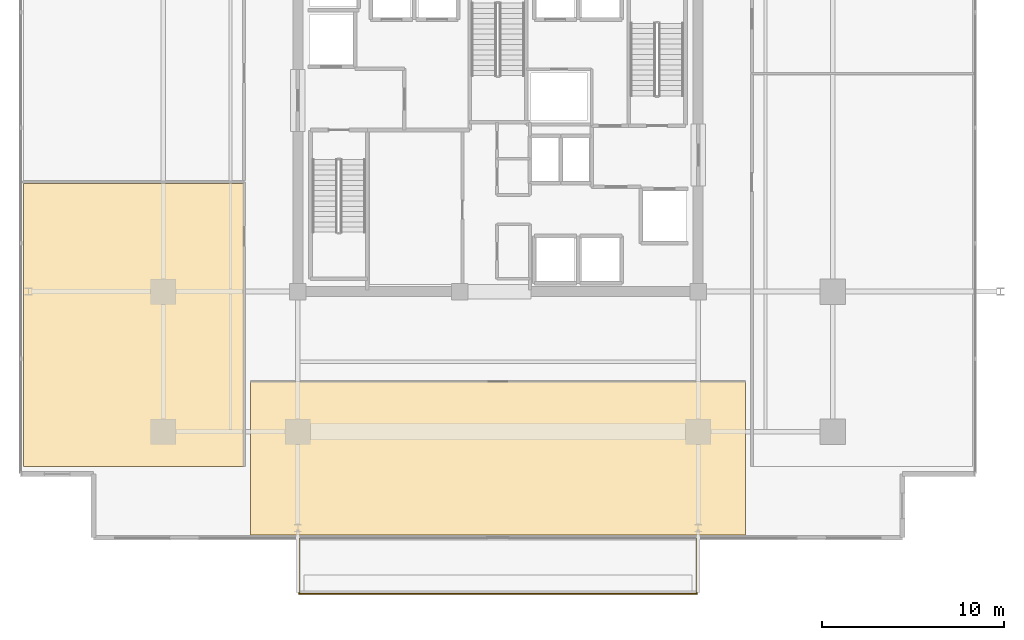
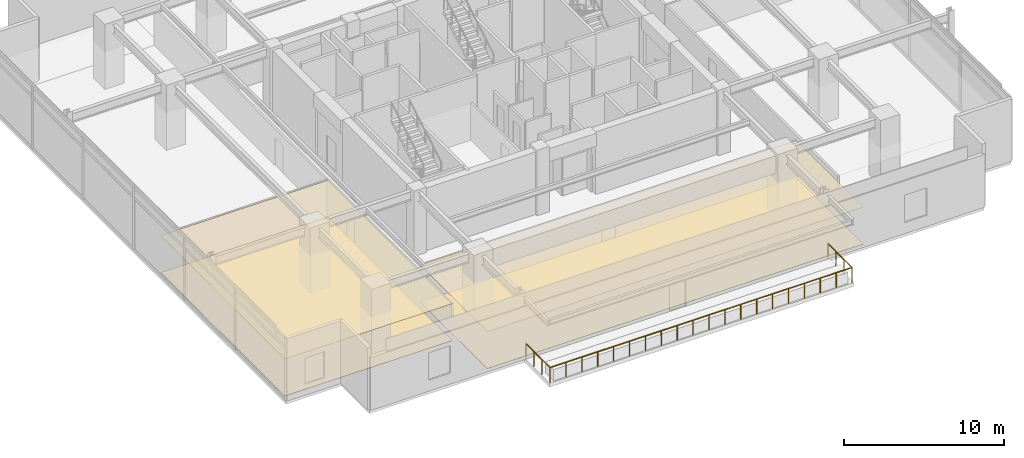
# One storey, part 17 of 21: 4 coverings, 1 railing.
"""IFC4 building model written with IfcOpenShell, lengths in metres."""

from ifc_helpers import new_model, si_unit, direction, frame, origin, origin_2d, place, context, subcontext, project, spatial, polyline, circle, outline, extrude, material, layer, layer_set, type_object, element, save


model = new_model("IFC4")

# Units and contexts
model_context = context("Model", 3, precision=1e-05, world=origin(), true_north=direction((0.0, 1.0)))
body_context = subcontext(model_context, "Body", "Model", "MODEL_VIEW")
ifc_project = project(units=[si_unit("LENGTHUNIT", "METRE"), si_unit("AREAUNIT", "SQUARE_METRE"), si_unit("VOLUMEUNIT", "CUBIC_METRE"), si_unit("PLANEANGLEUNIT", "RADIAN"), si_unit("MASSUNIT", "GRAM", prefix="KILO")], contexts=[model_context])

# Site, building, storey
site_placement = place(None, origin())
site = spatial("IfcSite", under=ifc_project, at=site_placement, CompositionType="ELEMENT")
building_placement = place(site_placement, origin())
building = spatial("IfcBuilding", under=site, at=building_placement, Name="Kovane Verandah Tower", CompositionType="ELEMENT")
storey_placement = place(building_placement, frame((0.0, 0.0, 238.199951171875)))
storey = spatial("IfcBuildingStorey", under=building, at=storey_placement, Name="L55", CompositionType="ELEMENT", Elevation=238.199951171875)

# Coverings
ifc_material_1 = material(Name="Perforated Acoustic Mineral-Fibre Ceiling Tile", Category="gypsum")
ifc_layer_1 = layer(ifc_material_1, 0.02490234375)
ifc_layer_set_1 = layer_set([ifc_layer_1], Name="Perforated Acoustic Mineral-Fibre Ceiling Tile")
covering_type_1 = type_object("IfcCoveringType", Name="CV-CEIL-25", PredefinedType="CEILING", material=ifc_layer_set_1)
covering_1_placement = place(storey_placement, frame((0.0, 0.0, 2.824951171875)))
element("IfcCovering", 1, at=covering_1_placement, inside=storey, type_object=covering_type_1, Name="L55 Breakout Pantry S1 Acoustic Ceiling", PredefinedType="CEILING", context=body_context, shape_type="SweptSolid", body=[
    extrude(outline(polyline([(26.39990234375, 5.126708984375), (53.60009765625, 5.126708984375), (53.60009765625, 13.550048828125), (26.39990234375, 13.550048828125), (26.39990234375, 5.126708984375)])), origin(), (0.0, 0.0, 1.0), 0.025146484375),
])
covering_2_placement = place(storey_placement, frame((0.0, 0.0, 2.824951171875)))
element("IfcCovering", 2, at=covering_2_placement, inside=storey, type_object=covering_type_1, Name="L55 Collaboration Hub W1 Acoustic Ceiling", PredefinedType="CEILING", context=body_context, shape_type="SweptSolid", body=[
    extrude(outline(polyline([(13.929443359375, 8.876708984375), (26.050048828125, 8.876708984375), (26.050048828125, 24.4501953125), (13.929443359375, 24.4501953125), (13.929443359375, 8.876708984375)])), origin(), (0.0, 0.0, 1.0), 0.025146484375),
])
ifc_material_2 = material(Name="Polished Terrazzo and Raised-Access Carpet Tile Finish", Category="concrete")
ifc_layer_2 = layer(ifc_material_2, 0.030029296875)
ifc_layer_set_2 = layer_set([ifc_layer_2], Name="Polished Terrazzo and Raised-Access Carpet Tile Finish")
covering_type_2 = type_object("IfcCoveringType", Name="CV-FLOR-30", PredefinedType="FLOORING", material=ifc_layer_set_2)
covering_3_placement = place(storey_placement, origin())
element("IfcCovering", 3, at=covering_3_placement, inside=storey, type_object=covering_type_2, Name="L55 Breakout Pantry S1 Floor Finish", PredefinedType="FLOORING", context=body_context, shape_type="SweptSolid", body=[
    extrude(outline(polyline([(26.39990234375, 5.126708984375), (53.60009765625, 5.126708984375), (53.60009765625, 13.550048828125), (26.39990234375, 13.550048828125), (26.39990234375, 5.126708984375)])), origin(), (0.0, 0.0, 1.0), 0.030029296875),
])
covering_4_placement = place(storey_placement, origin())
element("IfcCovering", 4, at=covering_4_placement, inside=storey, type_object=covering_type_2, Name="L55 Collaboration Hub W1 Floor Finish", PredefinedType="FLOORING", context=body_context, shape_type="SweptSolid", body=[
    extrude(outline(polyline([(13.929443359375, 8.876708984375), (26.050048828125, 8.876708984375), (26.050048828125, 24.4501953125), (13.929443359375, 24.4501953125), (13.929443359375, 8.876708984375)])), origin(), (0.0, 0.0, 1.0), 0.030029296875),
])

# Railing
ifc_material_3 = material(Name="Laminated Glass and Pale-Champagne Stainless Balustrade", Category="glass")
railing_type = type_object("IfcRailingType", Name="RL-BAL-1150", PredefinedType="BALUSTRADE", material=ifc_material_3)
railing_placement = place(storey_placement, frame((29.080078125, 4.926513671875, 0.0)))
element("IfcRailing", 5, at=railing_placement, inside=storey, type_object=railing_type, Name="L55 S Verandah Glass Balustrade", PredefinedType="BALUSTRADE", context=body_context, shape_type="SweptSolid", body=[
    extrude(circle(Radius=0.02392578125, at=origin_2d()), frame((0.0, 0.0, 1.1259765625), z_axis=(0.0, -1.0, 0.0), x_axis=(1.0, 0.0, 0.0)), (0.0, 0.0, 1.0), 3.02001953125),
    extrude(circle(Radius=0.02392578125, at=origin_2d()), frame((0.0, -3.02001953125, 1.1259765625), z_axis=(1.0, 0.0, 0.0), x_axis=(0.0, 1.0, 0.0)), (0.0, 0.0, 1.0), 21.83984375),
    extrude(circle(Radius=0.02392578125, at=origin_2d()), frame((21.83984375, -3.02001953125, 1.1259765625), z_axis=(0.0, 1.0, 0.0), x_axis=(-1.0, 0.0, 0.0)), (0.0, 0.0, 1.0), 3.02001953125),
    extrude(circle(Radius=0.02099609375, at=origin_2d()), origin(), (0.0, 0.0, 1.0), 1.101806640625),
    extrude(circle(Radius=0.02099609375, at=origin_2d()), frame((0.0, -1.006591796875, 0.0)), (0.0, 0.0, 1.0), 1.101806640625),
    extrude(circle(Radius=0.02099609375, at=origin_2d()), frame((0.0, -2.013427734375, 0.0)), (0.0, 0.0, 1.0), 1.101806640625),
    extrude(circle(Radius=0.02099609375, at=origin_2d()), frame((0.0, -3.02001953125, 0.0)), (0.0, 0.0, 1.0), 1.101806640625),
    extrude(circle(Radius=0.02099609375, at=origin_2d()), frame((1.1494140625, -3.02001953125, 0.0)), (0.0, 0.0, 1.0), 1.101806640625),
    extrude(circle(Radius=0.02099609375, at=origin_2d()), frame((2.298828125, -3.02001953125, 0.0)), (0.0, 0.0, 1.0), 1.101806640625),
    extrude(circle(Radius=0.02099609375, at=origin_2d()), frame((3.448486328125, -3.02001953125, 0.0)), (0.0, 0.0, 1.0), 1.101806640625),
    extrude(circle(Radius=0.02099609375, at=origin_2d()), frame((4.597900390625, -3.02001953125, 0.0)), (0.0, 0.0, 1.0), 1.101806640625),
    extrude(circle(Radius=0.02099609375, at=origin_2d()), frame((5.747314453125, -3.02001953125, 0.0)), (0.0, 0.0, 1.0), 1.101806640625),
    extrude(circle(Radius=0.02099609375, at=origin_2d()), frame((6.896728515625, -3.02001953125, 0.0)), (0.0, 0.0, 1.0), 1.101806640625),
    extrude(circle(Radius=0.02099609375, at=origin_2d()), frame((8.046142578125, -3.02001953125, 0.0)), (0.0, 0.0, 1.0), 1.101806640625),
    extrude(circle(Radius=0.02099609375, at=origin_2d()), frame((9.19580078125, -3.02001953125, 0.0)), (0.0, 0.0, 1.0), 1.101806640625),
    extrude(circle(Radius=0.02099609375, at=origin_2d()), frame((10.34521484375, -3.02001953125, 0.0)), (0.0, 0.0, 1.0), 1.101806640625),
    extrude(circle(Radius=0.02099609375, at=origin_2d()), frame((11.49462890625, -3.02001953125, 0.0)), (0.0, 0.0, 1.0), 1.101806640625),
    extrude(circle(Radius=0.02099609375, at=origin_2d()), frame((12.64404296875, -3.02001953125, 0.0)), (0.0, 0.0, 1.0), 1.101806640625),
    extrude(circle(Radius=0.02099609375, at=origin_2d()), frame((13.793701171875, -3.02001953125, 0.0)), (0.0, 0.0, 1.0), 1.101806640625),
    extrude(circle(Radius=0.02099609375, at=origin_2d()), frame((14.943115234375, -3.02001953125, 0.0)), (0.0, 0.0, 1.0), 1.101806640625),
    extrude(circle(Radius=0.02099609375, at=origin_2d()), frame((16.092529296875, -3.02001953125, 0.0)), (0.0, 0.0, 1.0), 1.101806640625),
    extrude(circle(Radius=0.02099609375, at=origin_2d()), frame((17.241943359375, -3.02001953125, 0.0)), (0.0, 0.0, 1.0), 1.101806640625),
    extrude(circle(Radius=0.02099609375, at=origin_2d()), frame((18.391357421875, -3.02001953125, 0.0)), (0.0, 0.0, 1.0), 1.101806640625),
    extrude(circle(Radius=0.02099609375, at=origin_2d()), frame((19.541015625, -3.02001953125, 0.0)), (0.0, 0.0, 1.0), 1.101806640625),
    extrude(circle(Radius=0.02099609375, at=origin_2d()), frame((20.6904296875, -3.02001953125, 0.0)), (0.0, 0.0, 1.0), 1.101806640625),
    extrude(circle(Radius=0.02099609375, at=origin_2d()), frame((21.83984375, -3.02001953125, 0.0)), (0.0, 0.0, 1.0), 1.101806640625),
    extrude(circle(Radius=0.02099609375, at=origin_2d()), frame((21.83984375, -2.013427734375, 0.0)), (0.0, 0.0, 1.0), 1.101806640625),
    extrude(circle(Radius=0.02099609375, at=origin_2d()), frame((21.83984375, -1.006591796875, 0.0)), (0.0, 0.0, 1.0), 1.101806640625),
    extrude(circle(Radius=0.02099609375, at=origin_2d()), frame((21.83984375, 0.0, 0.0)), (0.0, 0.0, 1.0), 1.101806640625),
])

save(model, "model.ifc")
